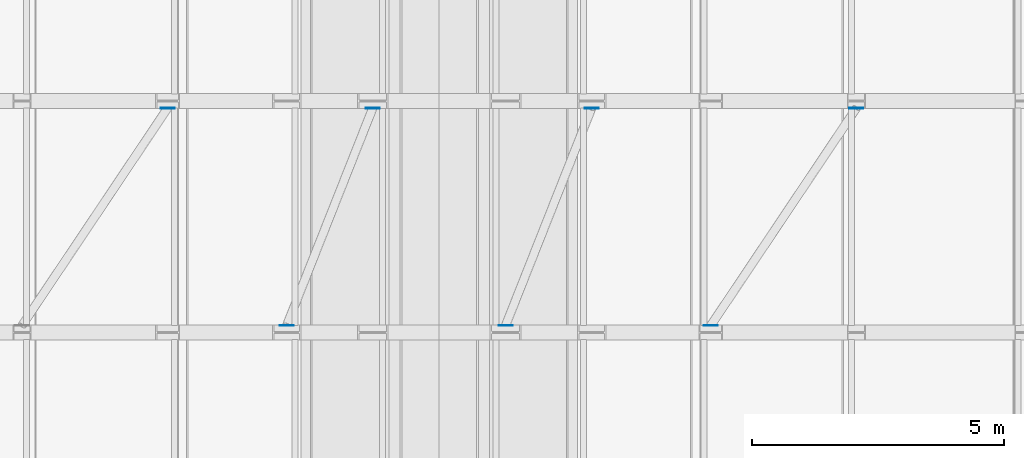
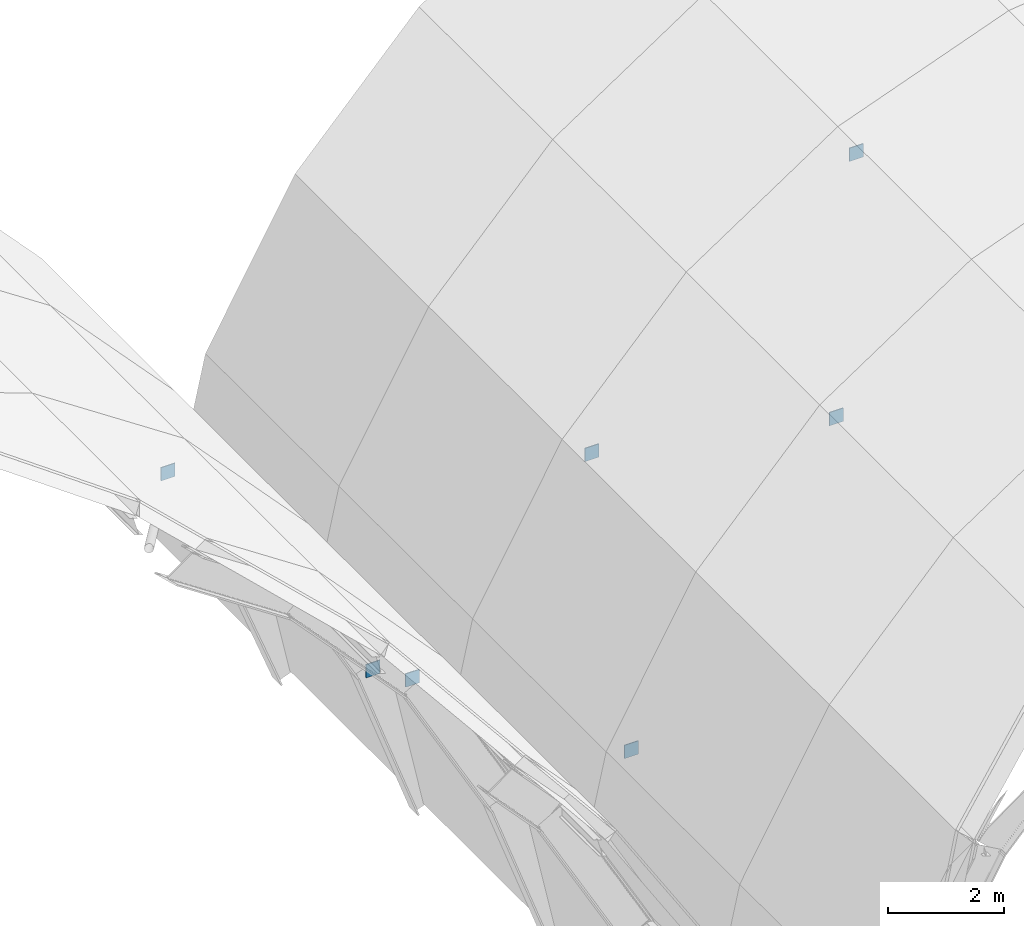
# One storey, part 30 of 47: 7 plates.
"""IFC4 building model written with IfcOpenShell, lengths in metres."""

from ifc_helpers import new_model, si_unit, direction, frame, origin, origin_2d, place, context, subcontext, project, spatial, rectangle, extrude, material, layer, layer_set, type_object, element, save


model = new_model("IFC4")

# Units and contexts
model_context = context("Model", 3, precision=1e-05, world=origin(), true_north=direction((0.0, 1.0)))
body_context = subcontext(model_context, "Body", "Model", "MODEL_VIEW")
ifc_project = project(units=[si_unit("LENGTHUNIT", "METRE"), si_unit("AREAUNIT", "SQUARE_METRE"), si_unit("VOLUMEUNIT", "CUBIC_METRE"), si_unit("PLANEANGLEUNIT", "RADIAN"), si_unit("MASSUNIT", "GRAM", prefix="KILO")], contexts=[model_context])

# Site, building, storey
site_placement = place(None, origin())
site = spatial("IfcSite", under=ifc_project, at=site_placement, CompositionType="ELEMENT")
building_placement = place(site_placement, origin())
building = spatial("IfcBuilding", under=site, at=building_placement, Name="Muzn Square Opera House", CompositionType="ELEMENT")
storey_placement = place(building_placement, frame((0.0, 0.0, 31.0)))
storey = spatial("IfcBuildingStorey", under=building, at=storey_placement, Name="RF-1", CompositionType="ELEMENT", Elevation=31.0)

# Plates
ifc_material = material(Name="Steel S355", Category="steel")
ifc_layer = layer(ifc_material, 0.01806640625, Name="Steel S355", Category="steel")
ifc_layer_set = layer_set([ifc_layer], Name="Steel S355")
plate_type = type_object("IfcPlateType", Name="Brace Cap Plate 18mm 280x280", PredefinedType="USERDEFINED", material=ifc_layer_set)
for number, where, z_axis, x_axis, name in (
    (1, (67.6044921875, 63.260009765625, -3.83349609375), (0.0, 0.0, 1.0), (1.0, 0.0, 0.0), "Vault Wind Brace End Cap Plate V1-08-14-B"),
    (2, (69.970703125, 58.93994140625, -6.37744140625), (0.0, 0.0, 1.0), (1.0, 0.0, 0.0), "Vault Wind Brace End Cap Plate V1-08-18-A"),
    (3, (71.680419921875, 63.260009765625, -9.40185546875), (0.0, 0.0, 1.0), (1.0, 0.0, 0.0), "Vault Wind Brace End Cap Plate V1-08-18-B"),
    (4, (74.319580078125, 58.93994140625, -9.40185546875), (0.0, 0.0, 1.0), (1.0, 0.0, 0.0), "Vault Wind Brace End Cap Plate V2-08-04-A"),
    (5, (76.029296875, 63.260009765625, -6.37744140625), (0.0, 0.0, 1.0), (1.0, 0.0, 0.0), "Vault Wind Brace End Cap Plate V2-08-04-B"),
    (6, (78.3955078125, 58.93994140625, -3.83349609375), (0.0, 0.0, 1.0), (1.0, 0.0, 0.0), "Vault Wind Brace End Cap Plate V2-08-08-A"),
    (7, (81.28857421875, 63.260009765625, -1.90966796875), (0.0, 0.0, 1.0), (1.0, 0.0, 0.0), "Vault Wind Brace End Cap Plate V2-08-08-B"),
):
    element("IfcPlate", number, at=place(storey_placement, frame(where, z_axis=z_axis, x_axis=x_axis)), inside=storey, type_object=plate_type, Name=name, ObjectType="GUSSET PLATE", PredefinedType="USERDEFINED", context=body_context, shape_type="SweptSolid", body=[
        extrude(rectangle(XDim=0.280029296875, YDim=0.01806640625, at=origin_2d()), origin(), (0.0, 0.0, 1.0), 0.280029296875),
    ])

save(model, "model.ifc")
